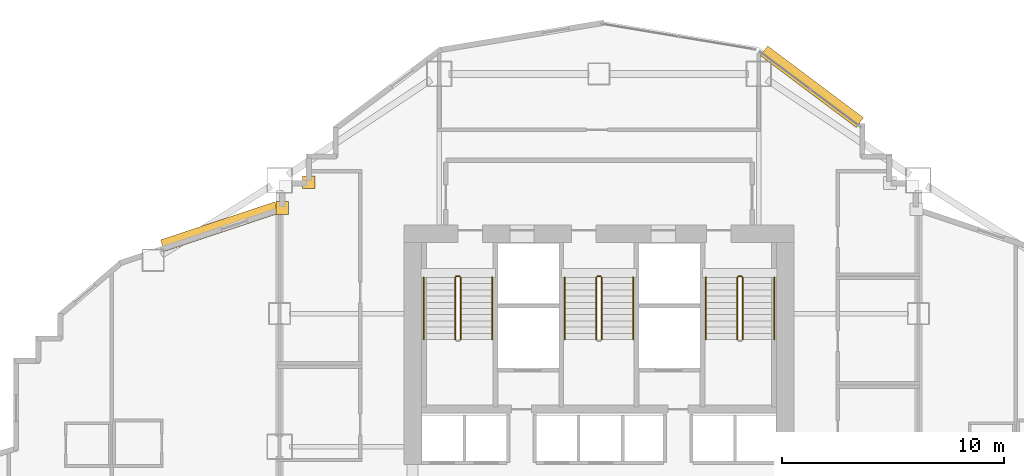
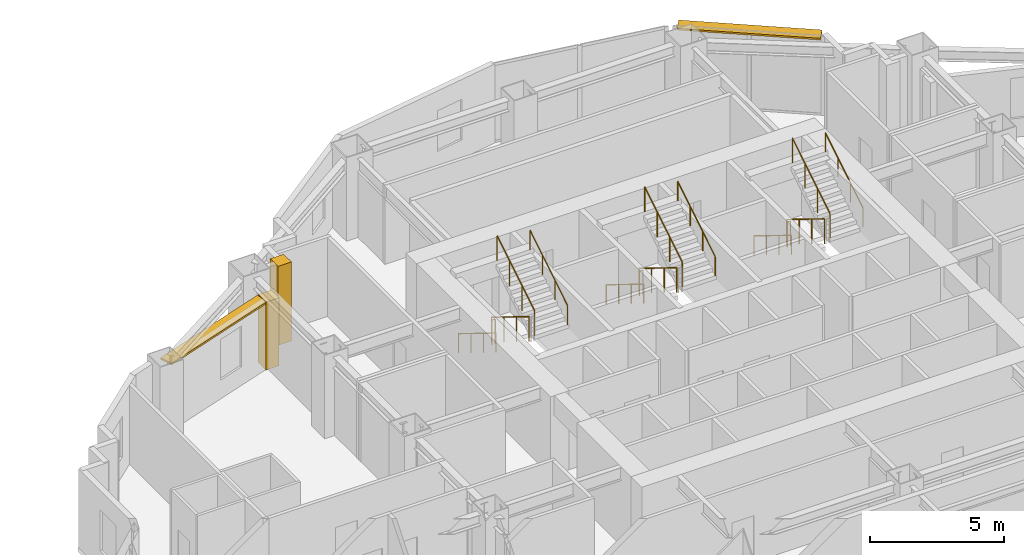
# One storey, part 16 of 17: 15 railings, 2 coverings, 2 shading devices.
"""IFC4 building model written with IfcOpenShell, lengths in metres."""

from ifc_helpers import new_model, si_unit, direction, frame, origin, origin_2d, place, context, subcontext, project, spatial, rectangle, circle, extrude, material, layer, layer_set, type_object, element, save


model = new_model("IFC4")

# Units and contexts
model_context = context("Model", 3, precision=1e-05, world=origin(), true_north=direction((0.0, 1.0)))
body_context = subcontext(model_context, "Body", "Model", "MODEL_VIEW")
ifc_project = project(units=[si_unit("LENGTHUNIT", "METRE"), si_unit("AREAUNIT", "SQUARE_METRE"), si_unit("VOLUMEUNIT", "CUBIC_METRE"), si_unit("PLANEANGLEUNIT", "RADIAN"), si_unit("MASSUNIT", "GRAM", prefix="KILO")], contexts=[model_context])

# Site, building, storey
site_placement = place(None, origin())
site = spatial("IfcSite", under=ifc_project, at=site_placement, CompositionType="ELEMENT")
building_placement = place(site_placement, origin())
building = spatial("IfcBuilding", under=site, at=building_placement, Name="Haolan Belvedere Tower", CompositionType="ELEMENT")
storey_placement = place(building_placement, frame((0.0, 0.0, 55.199951171875)))
storey = spatial("IfcBuildingStorey", under=building, at=storey_placement, Name="L13", CompositionType="ELEMENT", Elevation=55.199951171875)

# Coverings
ifc_material_1 = material(Name="Pale champagne-silver anodised aluminium rainscreen cladding", Category="aluminium")
ifc_layer_1 = layer(ifc_material_1, 0.034912109375, Name="Pale champagne-silver anodised aluminium rainscreen cladding")
ifc_layer_set_1 = layer_set([ifc_layer_1], Name="Pale champagne-silver anodised aluminium rainscreen cladding")
covering_type = type_object("IfcCoveringType", Name="COV-CLAD-35", PredefinedType="CLADDING", material=ifc_layer_set_1)
covering_1_placement = place(storey_placement, frame((25.320068359375, 45.5224609375, 0.0), z_axis=(0.0, 0.0, 1.0), x_axis=(1.0, 0.0, 0.0)))
element("IfcCovering", 1, at=covering_1_placement, inside=storey, type_object=covering_type, Name="L13 pale-metal serrated corner cladding trim 10", PredefinedType="CLADDING", context=body_context, shape_type="SweptSolid", body=[
    extrude(rectangle(XDim=0.580078125, YDim=0.580078125, at=origin_2d()), origin(), (0.0, 0.0, 1.0), 3.60009765625),
])
covering_2_placement = place(storey_placement, frame((24.1201171875, 44.35595703125, 0.0), z_axis=(0.0, 0.0, 1.0), x_axis=(1.0, 0.0, 0.0)))
element("IfcCovering", 2, at=covering_2_placement, inside=storey, type_object=covering_type, Name="L13 pale-metal serrated corner cladding trim 11", PredefinedType="CLADDING", context=body_context, shape_type="SweptSolid", body=[
    extrude(rectangle(XDim=0.580078125, YDim=0.580078125, at=origin_2d()), origin(), (0.0, 0.0, 1.0), 3.096923828125),
])

# Railings
ifc_material_2 = material(Name="Brushed stainless steel 304", Category="steel")
railing_type_1 = type_object("IfcRailingType", Name="RL-STAIR-GRD-1150", PredefinedType="GUARDRAIL", material=ifc_material_2)
railing_1_placement = place(storey_placement, frame((31.919921875, 41.22998046875, 0.1728515625)))
element("IfcRailing", 3, at=railing_1_placement, inside=storey, type_object=railing_type_1, Name="L13 ST1 stair guard 1", PredefinedType="GUARDRAIL", context=body_context, shape_type="SweptSolid", body=[
    extrude(circle(Radius=0.02392578125, at=origin_2d()), frame((0.0, 0.0, 1.1259765625), z_axis=(0.0, -0.851089632645, 0.525020415988), x_axis=(1.0, 0.0, 0.0)), (0.0, 0.0, 1.0), 3.2900390625),
    extrude(circle(Radius=0.02099609375, at=origin_2d()), origin(), (0.0, 0.0, 1.0), 1.101806640625),
    extrude(circle(Radius=0.02099609375, at=origin_2d()), frame((0.0, -0.933349609375, 0.57568359375)), (0.0, 0.0, 1.0), 1.101806640625),
    extrude(circle(Radius=0.02099609375, at=origin_2d()), frame((0.0, -1.86669921875, 1.151611328125)), (0.0, 0.0, 1.0), 1.101806640625),
    extrude(circle(Radius=0.02099609375, at=origin_2d()), frame((0.0, -2.800048828125, 1.727294921875)), (0.0, 0.0, 1.0), 1.101806640625),
])
railing_2_placement = place(storey_placement, frame((32.159912109375, 38.429931640625, 2.07275390625)))
element("IfcRailing", 4, at=railing_2_placement, inside=storey, type_object=railing_type_1, Name="L13 ST1 stair guard 3", PredefinedType="GUARDRAIL", context=body_context, shape_type="SweptSolid", body=[
    extrude(circle(Radius=0.02392578125, at=origin_2d()), frame((0.0, 0.0, 1.1259765625), z_axis=(0.0, 0.851089632645, 0.525020415988), x_axis=(-1.0, 0.0, 0.0)), (0.0, 0.0, 1.0), 3.2900390625),
    extrude(circle(Radius=0.02099609375, at=origin_2d()), origin(), (0.0, 0.0, 1.0), 1.101806640625),
    extrude(circle(Radius=0.02099609375, at=origin_2d()), frame((0.0, 0.933349609375, 0.57568359375)), (0.0, 0.0, 1.0), 1.101806640625),
    extrude(circle(Radius=0.02099609375, at=origin_2d()), frame((0.0, 1.86669921875, 1.151611328125)), (0.0, 0.0, 1.0), 1.101806640625),
    extrude(circle(Radius=0.02099609375, at=origin_2d()), frame((0.0, 2.800048828125, 1.727294921875)), (0.0, 0.0, 1.0), 1.101806640625),
])
railing_3_placement = place(storey_placement, frame((31.969970703125, 41.280029296875, 0.0)))
element("IfcRailing", 5, at=railing_3_placement, inside=storey, type_object=railing_type_1, Name="L13 ST1 stair guard 4", PredefinedType="GUARDRAIL", context=body_context, shape_type="SweptSolid", body=[
    extrude(circle(Radius=0.02392578125, at=origin_2d()), frame((0.0, 0.0, 1.1259765625), z_axis=(1.0, 0.0, 0.0), x_axis=(0.0, 1.0, 0.0)), (0.0, 0.0, 1.0), 0.14013671875),
    extrude(circle(Radius=0.02099609375, at=origin_2d()), origin(), (0.0, 0.0, 1.0), 1.101806640625),
    extrude(circle(Radius=0.02099609375, at=origin_2d()), frame((0.14013671875, 0.0, 0.0)), (0.0, 0.0, 1.0), 1.101806640625),
])
railing_4_placement = place(storey_placement, frame((38.280029296875, 41.22998046875, 0.1728515625)))
element("IfcRailing", 6, at=railing_4_placement, inside=storey, type_object=railing_type_1, Name="L13 ST3 stair guard 1", PredefinedType="GUARDRAIL", context=body_context, shape_type="SweptSolid", body=[
    extrude(circle(Radius=0.02392578125, at=origin_2d()), frame((0.0, 0.0, 1.1259765625), z_axis=(0.0, -0.851089632645, 0.525020415988), x_axis=(1.0, 0.0, 0.0)), (0.0, 0.0, 1.0), 3.2900390625),
    extrude(circle(Radius=0.02099609375, at=origin_2d()), origin(), (0.0, 0.0, 1.0), 1.101806640625),
    extrude(circle(Radius=0.02099609375, at=origin_2d()), frame((0.0, -0.933349609375, 0.57568359375)), (0.0, 0.0, 1.0), 1.101806640625),
    extrude(circle(Radius=0.02099609375, at=origin_2d()), frame((0.0, -1.86669921875, 1.151611328125)), (0.0, 0.0, 1.0), 1.101806640625),
    extrude(circle(Radius=0.02099609375, at=origin_2d()), frame((0.0, -2.800048828125, 1.727294921875)), (0.0, 0.0, 1.0), 1.101806640625),
])
railing_5_placement = place(storey_placement, frame((38.52001953125, 38.429931640625, 2.07275390625)))
element("IfcRailing", 7, at=railing_5_placement, inside=storey, type_object=railing_type_1, Name="L13 ST3 stair guard 3", PredefinedType="GUARDRAIL", context=body_context, shape_type="SweptSolid", body=[
    extrude(circle(Radius=0.02392578125, at=origin_2d()), frame((0.0, 0.0, 1.1259765625), z_axis=(0.0, 0.851089632645, 0.525020415988), x_axis=(-1.0, 0.0, 0.0)), (0.0, 0.0, 1.0), 3.2900390625),
    extrude(circle(Radius=0.02099609375, at=origin_2d()), origin(), (0.0, 0.0, 1.0), 1.101806640625),
    extrude(circle(Radius=0.02099609375, at=origin_2d()), frame((0.0, 0.933349609375, 0.57568359375)), (0.0, 0.0, 1.0), 1.101806640625),
    extrude(circle(Radius=0.02099609375, at=origin_2d()), frame((0.0, 1.86669921875, 1.151611328125)), (0.0, 0.0, 1.0), 1.101806640625),
    extrude(circle(Radius=0.02099609375, at=origin_2d()), frame((0.0, 2.800048828125, 1.727294921875)), (0.0, 0.0, 1.0), 1.101806640625),
])
railing_6_placement = place(storey_placement, frame((38.330078125, 41.280029296875, 0.0)))
element("IfcRailing", 8, at=railing_6_placement, inside=storey, type_object=railing_type_1, Name="L13 ST3 stair guard 4", PredefinedType="GUARDRAIL", context=body_context, shape_type="SweptSolid", body=[
    extrude(circle(Radius=0.02392578125, at=origin_2d()), frame((0.0, 0.0, 1.1259765625), z_axis=(1.0, 0.0, 0.0), x_axis=(0.0, 1.0, 0.0)), (0.0, 0.0, 1.0), 0.139892578125),
    extrude(circle(Radius=0.02099609375, at=origin_2d()), origin(), (0.0, 0.0, 1.0), 1.101806640625),
    extrude(circle(Radius=0.02099609375, at=origin_2d()), frame((0.139892578125, 0.0, 0.0)), (0.0, 0.0, 1.0), 1.101806640625),
])
railing_7_placement = place(storey_placement, frame((44.639892578125, 41.22998046875, 0.1728515625)))
element("IfcRailing", 9, at=railing_7_placement, inside=storey, type_object=railing_type_1, Name="L13 ST2 stair guard 1", PredefinedType="GUARDRAIL", context=body_context, shape_type="SweptSolid", body=[
    extrude(circle(Radius=0.02392578125, at=origin_2d()), frame((0.0, 0.0, 1.1259765625), z_axis=(0.0, -0.851089632645, 0.525020415988), x_axis=(1.0, 0.0, 0.0)), (0.0, 0.0, 1.0), 3.2900390625),
    extrude(circle(Radius=0.02099609375, at=origin_2d()), origin(), (0.0, 0.0, 1.0), 1.101806640625),
    extrude(circle(Radius=0.02099609375, at=origin_2d()), frame((0.0, -0.933349609375, 0.57568359375)), (0.0, 0.0, 1.0), 1.101806640625),
    extrude(circle(Radius=0.02099609375, at=origin_2d()), frame((0.0, -1.86669921875, 1.151611328125)), (0.0, 0.0, 1.0), 1.101806640625),
    extrude(circle(Radius=0.02099609375, at=origin_2d()), frame((0.0, -2.800048828125, 1.727294921875)), (0.0, 0.0, 1.0), 1.101806640625),
])
railing_8_placement = place(storey_placement, frame((44.8798828125, 38.429931640625, 2.07275390625)))
element("IfcRailing", 10, at=railing_8_placement, inside=storey, type_object=railing_type_1, Name="L13 ST2 stair guard 3", PredefinedType="GUARDRAIL", context=body_context, shape_type="SweptSolid", body=[
    extrude(circle(Radius=0.02392578125, at=origin_2d()), frame((0.0, 0.0, 1.1259765625), z_axis=(0.0, 0.851089632645, 0.525020415988), x_axis=(-1.0, 0.0, 0.0)), (0.0, 0.0, 1.0), 3.2900390625),
    extrude(circle(Radius=0.02099609375, at=origin_2d()), origin(), (0.0, 0.0, 1.0), 1.101806640625),
    extrude(circle(Radius=0.02099609375, at=origin_2d()), frame((0.0, 0.933349609375, 0.57568359375)), (0.0, 0.0, 1.0), 1.101806640625),
    extrude(circle(Radius=0.02099609375, at=origin_2d()), frame((0.0, 1.86669921875, 1.151611328125)), (0.0, 0.0, 1.0), 1.101806640625),
    extrude(circle(Radius=0.02099609375, at=origin_2d()), frame((0.0, 2.800048828125, 1.727294921875)), (0.0, 0.0, 1.0), 1.101806640625),
])
railing_9_placement = place(storey_placement, frame((44.68994140625, 41.280029296875, 0.0)))
element("IfcRailing", 11, at=railing_9_placement, inside=storey, type_object=railing_type_1, Name="L13 ST2 stair guard 4", PredefinedType="GUARDRAIL", context=body_context, shape_type="SweptSolid", body=[
    extrude(circle(Radius=0.02392578125, at=origin_2d()), frame((0.0, 0.0, 1.1259765625), z_axis=(1.0, 0.0, 0.0), x_axis=(0.0, 1.0, 0.0)), (0.0, 0.0, 1.0), 0.14013671875),
    extrude(circle(Radius=0.02099609375, at=origin_2d()), origin(), (0.0, 0.0, 1.0), 1.101806640625),
    extrude(circle(Radius=0.02099609375, at=origin_2d()), frame((0.14013671875, 0.0, 0.0)), (0.0, 0.0, 1.0), 1.101806640625),
])
railing_type_2 = type_object("IfcRailingType", Name="RL-STAIR-HND-900", PredefinedType="HANDRAIL", material=ifc_material_2)
railing_10_placement = place(storey_placement, frame((30.5, 41.22998046875, 0.1728515625)))
element("IfcRailing", 12, at=railing_10_placement, inside=storey, type_object=railing_type_2, Name="L13 ST1 stair handrail 1", PredefinedType="HANDRAIL", context=body_context, shape_type="SweptSolid", body=[
    extrude(circle(Radius=0.02392578125, at=origin_2d()), frame((0.0, 0.0, 0.8759765625), z_axis=(0.0, -0.851089632645, 0.525020415988), x_axis=(1.0, 0.0, 0.0)), (0.0, 0.0, 1.0), 3.2900390625),
    extrude(circle(Radius=0.02099609375, at=origin_2d()), origin(), (0.0, 0.0, 1.0), 0.851806640625),
    extrude(circle(Radius=0.02099609375, at=origin_2d()), frame((0.0, -0.933349609375, 0.57568359375)), (0.0, 0.0, 1.0), 0.851806640625),
    extrude(circle(Radius=0.02099609375, at=origin_2d()), frame((0.0, -1.86669921875, 1.151611328125)), (0.0, 0.0, 1.0), 0.851806640625),
    extrude(circle(Radius=0.02099609375, at=origin_2d()), frame((0.0, -2.800048828125, 1.727294921875)), (0.0, 0.0, 1.0), 0.851806640625),
])
railing_11_placement = place(storey_placement, frame((33.580078125, 38.429931640625, 2.07275390625)))
element("IfcRailing", 13, at=railing_11_placement, inside=storey, type_object=railing_type_2, Name="L13 ST1 stair handrail 2", PredefinedType="HANDRAIL", context=body_context, shape_type="SweptSolid", body=[
    extrude(circle(Radius=0.02392578125, at=origin_2d()), frame((0.0, 0.0, 0.8759765625), z_axis=(0.0, 0.851089632645, 0.525020415988), x_axis=(-1.0, 0.0, 0.0)), (0.0, 0.0, 1.0), 3.2900390625),
    extrude(circle(Radius=0.02099609375, at=origin_2d()), origin(), (0.0, 0.0, 1.0), 0.851806640625),
    extrude(circle(Radius=0.02099609375, at=origin_2d()), frame((0.0, 0.933349609375, 0.57568359375)), (0.0, 0.0, 1.0), 0.851806640625),
    extrude(circle(Radius=0.02099609375, at=origin_2d()), frame((0.0, 1.86669921875, 1.151611328125)), (0.0, 0.0, 1.0), 0.851806640625),
    extrude(circle(Radius=0.02099609375, at=origin_2d()), frame((0.0, 2.800048828125, 1.727294921875)), (0.0, 0.0, 1.0), 0.851806640625),
])
railing_12_placement = place(storey_placement, frame((36.860107421875, 41.22998046875, 0.1728515625)))
element("IfcRailing", 14, at=railing_12_placement, inside=storey, type_object=railing_type_2, Name="L13 ST3 stair handrail 1", PredefinedType="HANDRAIL", context=body_context, shape_type="SweptSolid", body=[
    extrude(circle(Radius=0.02392578125, at=origin_2d()), frame((0.0, 0.0, 0.8759765625), z_axis=(0.0, -0.851089632645, 0.525020415988), x_axis=(1.0, 0.0, 0.0)), (0.0, 0.0, 1.0), 3.2900390625),
    extrude(circle(Radius=0.02099609375, at=origin_2d()), origin(), (0.0, 0.0, 1.0), 0.851806640625),
    extrude(circle(Radius=0.02099609375, at=origin_2d()), frame((0.0, -0.933349609375, 0.57568359375)), (0.0, 0.0, 1.0), 0.851806640625),
    extrude(circle(Radius=0.02099609375, at=origin_2d()), frame((0.0, -1.86669921875, 1.151611328125)), (0.0, 0.0, 1.0), 0.851806640625),
    extrude(circle(Radius=0.02099609375, at=origin_2d()), frame((0.0, -2.800048828125, 1.727294921875)), (0.0, 0.0, 1.0), 0.851806640625),
])
railing_13_placement = place(storey_placement, frame((39.93994140625, 38.429931640625, 2.07275390625)))
element("IfcRailing", 15, at=railing_13_placement, inside=storey, type_object=railing_type_2, Name="L13 ST3 stair handrail 2", PredefinedType="HANDRAIL", context=body_context, shape_type="SweptSolid", body=[
    extrude(circle(Radius=0.02392578125, at=origin_2d()), frame((0.0, 0.0, 0.8759765625), z_axis=(0.0, 0.851089632645, 0.525020415988), x_axis=(-1.0, 0.0, 0.0)), (0.0, 0.0, 1.0), 3.2900390625),
    extrude(circle(Radius=0.02099609375, at=origin_2d()), origin(), (0.0, 0.0, 1.0), 0.851806640625),
    extrude(circle(Radius=0.02099609375, at=origin_2d()), frame((0.0, 0.933349609375, 0.57568359375)), (0.0, 0.0, 1.0), 0.851806640625),
    extrude(circle(Radius=0.02099609375, at=origin_2d()), frame((0.0, 1.86669921875, 1.151611328125)), (0.0, 0.0, 1.0), 0.851806640625),
    extrude(circle(Radius=0.02099609375, at=origin_2d()), frame((0.0, 2.800048828125, 1.727294921875)), (0.0, 0.0, 1.0), 0.851806640625),
])
railing_14_placement = place(storey_placement, frame((43.219970703125, 41.22998046875, 0.1728515625)))
element("IfcRailing", 16, at=railing_14_placement, inside=storey, type_object=railing_type_2, Name="L13 ST2 stair handrail 1", PredefinedType="HANDRAIL", context=body_context, shape_type="SweptSolid", body=[
    extrude(circle(Radius=0.02392578125, at=origin_2d()), frame((0.0, 0.0, 0.8759765625), z_axis=(0.0, -0.851089632645, 0.525020415988), x_axis=(1.0, 0.0, 0.0)), (0.0, 0.0, 1.0), 3.2900390625),
    extrude(circle(Radius=0.02099609375, at=origin_2d()), origin(), (0.0, 0.0, 1.0), 0.851806640625),
    extrude(circle(Radius=0.02099609375, at=origin_2d()), frame((0.0, -0.933349609375, 0.57568359375)), (0.0, 0.0, 1.0), 0.851806640625),
    extrude(circle(Radius=0.02099609375, at=origin_2d()), frame((0.0, -1.86669921875, 1.151611328125)), (0.0, 0.0, 1.0), 0.851806640625),
    extrude(circle(Radius=0.02099609375, at=origin_2d()), frame((0.0, -2.800048828125, 1.727294921875)), (0.0, 0.0, 1.0), 0.851806640625),
])
railing_15_placement = place(storey_placement, frame((46.300048828125, 38.429931640625, 2.07275390625)))
element("IfcRailing", 17, at=railing_15_placement, inside=storey, type_object=railing_type_2, Name="L13 ST2 stair handrail 2", PredefinedType="HANDRAIL", context=body_context, shape_type="SweptSolid", body=[
    extrude(circle(Radius=0.02392578125, at=origin_2d()), frame((0.0, 0.0, 0.8759765625), z_axis=(0.0, 0.851089632645, 0.525020415988), x_axis=(-1.0, 0.0, 0.0)), (0.0, 0.0, 1.0), 3.2900390625),
    extrude(circle(Radius=0.02099609375, at=origin_2d()), origin(), (0.0, 0.0, 1.0), 0.851806640625),
    extrude(circle(Radius=0.02099609375, at=origin_2d()), frame((0.0, 0.933349609375, 0.57568359375)), (0.0, 0.0, 1.0), 0.851806640625),
    extrude(circle(Radius=0.02099609375, at=origin_2d()), frame((0.0, 1.86669921875, 1.151611328125)), (0.0, 0.0, 1.0), 0.851806640625),
    extrude(circle(Radius=0.02099609375, at=origin_2d()), frame((0.0, 2.800048828125, 1.727294921875)), (0.0, 0.0, 1.0), 0.851806640625),
])

# Shading devices
ifc_material_3 = material(Name="Anodised champagne-silver aluminium 6063-T6", Category="aluminium")
ifc_layer_2 = layer(ifc_material_3, 0.080078125, Name="Anodised champagne-silver aluminium 6063-T6")
ifc_layer_set_2 = layer_set([ifc_layer_2], Name="Anodised champagne-silver aluminium 6063-T6")
shading_device_type = type_object("IfcShadingDeviceType", Name="SHD-SUN-550", PredefinedType="USERDEFINED", material=ifc_layer_set_2)
shading_device_1_placement = place(storey_placement, frame((47.999755859375, 49.8251953125, 3.5), z_axis=(0.0, 0.0, 1.0), x_axis=(-0.800009400027, 0.599987466426, 0.0)))
element("IfcShadingDevice", 18, at=shading_device_1_placement, inside=storey, type_object=shading_device_type, Name="L13 pale-metal horizontal SUNSHADE band 41.1", ObjectType="SUNSHADE", PredefinedType="USERDEFINED", context=body_context, shape_type="SweptSolid", body=[
    extrude(rectangle(XDim=5.390625, YDim=0.550048828125, at=origin_2d()), origin(), (0.0, 0.0, 1.0), 0.080078125),
])
shading_device_2_placement = place(storey_placement, frame((21.302978515625, 43.522216796875, 2.9970703125), z_axis=(0.0, 0.0, 1.0), x_axis=(-0.948688534679, -0.316212055698, 0.0)))
element("IfcShadingDevice", 19, at=shading_device_2_placement, inside=storey, type_object=shading_device_type, Name="L13 pale-metal horizontal SUNSHADE band 50.1", ObjectType="SUNSHADE", PredefinedType="USERDEFINED", context=body_context, shape_type="SweptSolid", body=[
    extrude(rectangle(XDim=5.435302734375, YDim=0.550048828125, at=origin_2d()), origin(), (0.0, 0.0, 1.0), 0.080078125),
])

save(model, "model.ifc")
